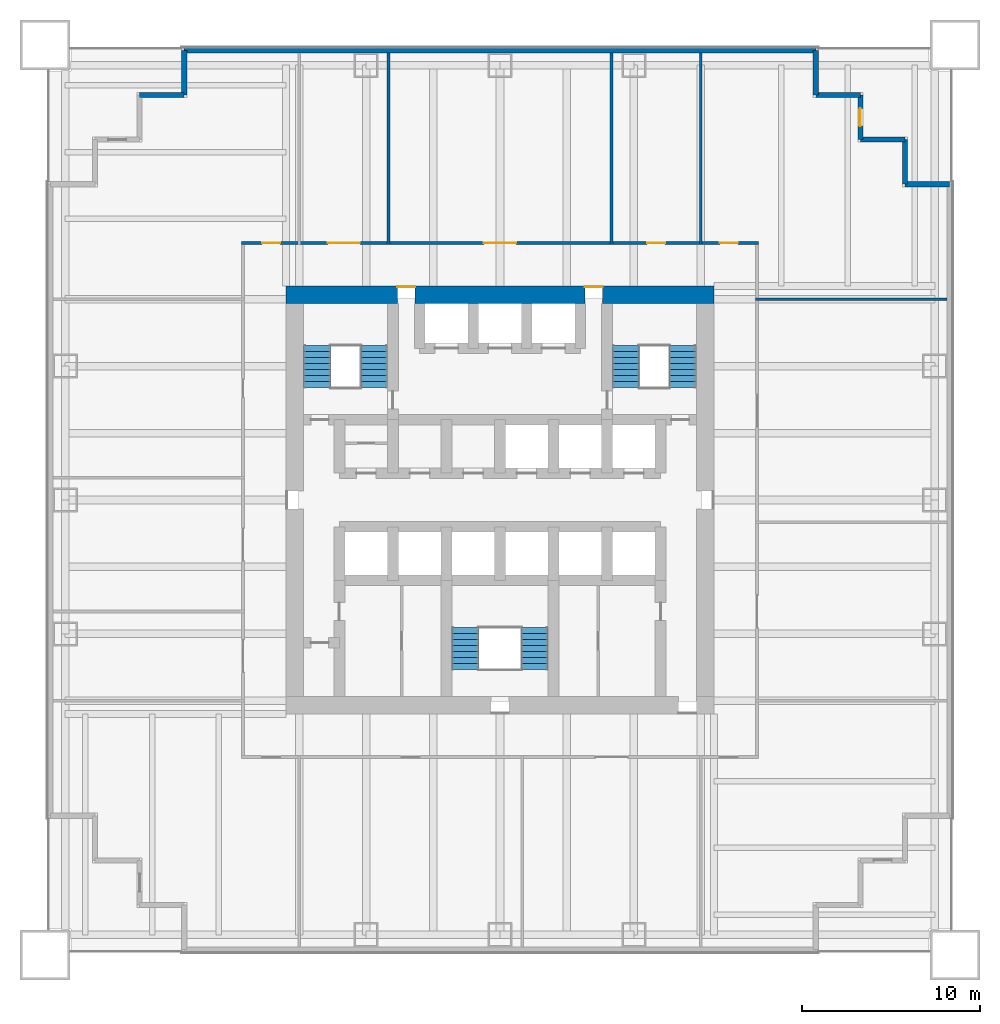
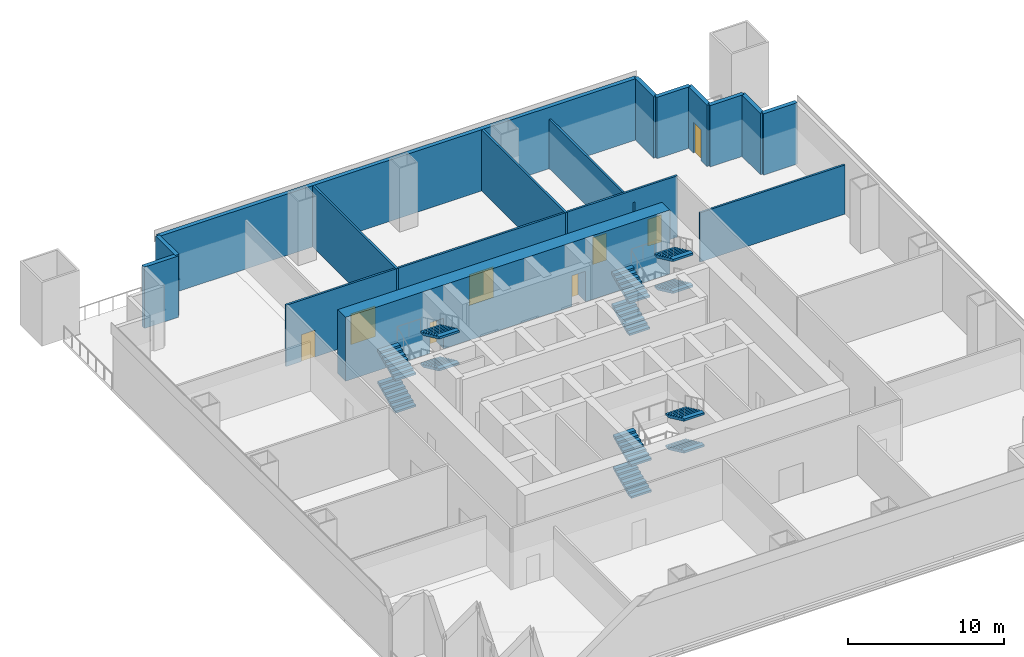
# One storey, part 4 of 6: 15 walls, 12 stair flights, 8 doors, 8 openings, 3 elements without a shape of their own.
"""IFC4 building model written with IfcOpenShell, lengths in metres."""

import ifcopenshell
import ifcopenshell.guid

model = None  # the IFC model being written
_history = None  # IfcOwnerHistory: only IFC2X3 demands one
_inside = {}  # id of a spatial element -> (the spatial element, [elements in it])
_under = {}  # id of a project, library or spatial element -> (it, [spatial elements below it])
_declared = {}  # id of a project -> (the project, [libraries it declares])
_typed = {}  # id of a type object -> (the type object, [elements of that type])
_made_of = {}  # id of a material, layer set ... -> (it, [elements and type objects made of it])


def new_model(schema):
    """Start an empty IFC model of exactly this schema.

    Asked for "IFC4X3", IfcOpenShell would pick the latest addendum, in which some entities
    have other attributes; the version numbers below select the first issue.
    IFC2X3 requires an IfcOwnerHistory on every rooted entity: one is made here for all.
    """
    global model, _history
    if schema == "IFC4X3":
        model = ifcopenshell.file(schema_version=(4, 3, 0, 0))
    else:
        model = ifcopenshell.file(schema=schema)
    _inside.clear()
    _under.clear()
    _declared.clear()
    _typed.clear()
    _made_of.clear()
    _history = None
    if model.schema == "IFC2X3":
        org = make("IfcOrganization", Name="unknown")
        user = make(
            "IfcPersonAndOrganization",
            ThePerson=make("IfcPerson", FamilyName="unknown"),
            TheOrganization=org,
        )
        app = make(
            "IfcApplication",
            ApplicationDeveloper=org,
            Version="unknown",
            ApplicationFullName="unknown",
            ApplicationIdentifier="unknown",
        )
        _history = make(
            "IfcOwnerHistory",
            OwningUser=user,
            OwningApplication=app,
            ChangeAction="ADDED",
            CreationDate=0,
        )
    return model


def make(cls, **values):
    """One entity of the class cls with the attributes given. An attribute that is None is left unset."""
    return model.create_entity(
        cls, **{name: value for name, value in values.items() if value is not None}
    )


def rooted(cls, **values):
    """An entity with a GlobalId (a new one), such as an element, a storey or a relation."""
    return make(cls, GlobalId=ifcopenshell.guid.new(), OwnerHistory=_history, **values)


def si_unit(unit_type, name, prefix=None):
    """IfcSIUnit, for example si_unit("LENGTHUNIT", "METRE", prefix="MILLI")."""
    return make("IfcSIUnit", UnitType=unit_type, Prefix=prefix, Name=name)


def assignment(units):
    """IfcUnitAssignment: the units of a project."""
    return None if units is None else make("IfcUnitAssignment", Units=units)


def point(xyz):
    """IfcCartesianPoint."""
    return None if xyz is None else make("IfcCartesianPoint", Coordinates=xyz)


def direction(xyz):
    """IfcDirection."""
    return None if xyz is None else make("IfcDirection", DirectionRatios=xyz)


def frame(location, z_axis=None, x_axis=None):
    """IfcAxis2Placement3D, a coordinate frame: its origin and axes. An axis left out is left unset."""
    return make(
        "IfcAxis2Placement3D",
        Location=point(location),
        Axis=direction(z_axis),
        RefDirection=direction(x_axis),
    )


def frame_2d(location, x_axis=None):
    """IfcAxis2Placement2D, a coordinate frame in the plane: its origin and x axis."""
    return make(
        "IfcAxis2Placement2D", Location=point(location), RefDirection=direction(x_axis)
    )


def origin():
    """The frame at (0, 0, 0) with its axes left unset."""
    return frame((0.0, 0.0, 0.0))


def place(relative_to, where):
    """IfcLocalPlacement: puts the frame where relative to a parent placement (None: the world)."""
    return make(
        "IfcLocalPlacement", PlacementRelTo=relative_to, RelativePlacement=where
    )


def context(
    kind, dimensions, precision=None, world=None, true_north=None, identifier=None
):
    """IfcGeometricRepresentationContext, for example the 3D "Model" context."""
    return make(
        "IfcGeometricRepresentationContext",
        ContextIdentifier=identifier,
        ContextType=kind,
        CoordinateSpaceDimension=dimensions,
        Precision=precision,
        WorldCoordinateSystem=world,
        TrueNorth=true_north,
    )


def subcontext(parent, identifier, kind, view, scale=None):
    """IfcGeometricRepresentationSubContext, for example "Body" below "Model"."""
    return make(
        "IfcGeometricRepresentationSubContext",
        ContextIdentifier=identifier,
        ContextType=kind,
        ParentContext=parent,
        TargetScale=scale,
        TargetView=view,
    )


def project(units=None, contexts=None):
    """IfcProject with its units and contexts."""
    return rooted(
        "IfcProject",
        Name="project",
        RepresentationContexts=contexts,
        UnitsInContext=assignment(units),
    )


def spatial(cls, under=None, at=None, **own):
    """A site, building, storey or space (cls), placed at a placement, below another one or the project."""
    s = rooted(cls, ObjectPlacement=at, **own)
    if under is not None:
        _under.setdefault(under.id(), (under, []))[1].append(s)
    return s


def polyline(points):
    """IfcPolyline through the points."""
    return make("IfcPolyline", Points=[point(p) for p in points])


def profile(cls, at=None, kind="AREA", **sizes):
    """A parametric profile (cls). Its sizes go by their IFC names, for example OverallWidth=200.0."""
    return make(cls, ProfileType=kind, Position=at, **sizes)


def rectangle(**sizes):
    """IfcRectangleProfileDef."""
    return profile("IfcRectangleProfileDef", **sizes)


def outline(outer, holes=None, kind="AREA"):
    """IfcArbitraryClosedProfileDef: a profile drawn as a closed curve; with holes, ...WithVoids."""
    if holes is None:
        return make("IfcArbitraryClosedProfileDef", ProfileType=kind, OuterCurve=outer)
    return make(
        "IfcArbitraryProfileDefWithVoids",
        ProfileType=kind,
        OuterCurve=outer,
        InnerCurves=holes,
    )


def extrude(swept, where, along, depth):
    """IfcExtrudedAreaSolid: the profile swept, set in the frame where, extruded along a direction by depth."""
    return make(
        "IfcExtrudedAreaSolid",
        SweptArea=swept,
        Position=where,
        ExtrudedDirection=direction(along),
        Depth=depth,
    )


def shape(context_of_items, identifier, shape_type, items):
    """IfcShapeRepresentation: the items that make up one representation, for example the "Body"."""
    return make(
        "IfcShapeRepresentation",
        ContextOfItems=context_of_items,
        RepresentationIdentifier=identifier,
        RepresentationType=shape_type,
        Items=items,
    )


def material(Name=None, Category=None):
    """IfcMaterial."""
    return make("IfcMaterial", Name=Name, Category=Category)


def layer(
    of_material, thickness, ventilated=None, Name=None, Category=None, Priority=None
):
    """IfcMaterialLayer: one layer of a wall or slab, of a material (None: an air gap)."""
    return make(
        "IfcMaterialLayer",
        Material=of_material,
        LayerThickness=thickness,
        IsVentilated=ventilated,
        Name=Name,
        Category=Category,
        Priority=Priority,
    )


def layer_set(layers, Name=None):
    """IfcMaterialLayerSet."""
    return make("IfcMaterialLayerSet", MaterialLayers=layers, LayerSetName=Name)


def made_of(thing, what):
    """Note that an element or type object is made of a material, layer set ...; save() writes the relation."""
    if what is not None:
        _made_of.setdefault(what.id(), (what, []))[1].append(thing)
    return thing


def type_object(cls, material=None, **own):
    """A type object (cls), such as IfcWallType, which elements share."""
    return made_of(rooted(cls, **own), material)


def element(
    cls,
    number,
    at=None,
    inside=None,
    cuts=None,
    type_object=None,
    material=None,
    context=None,
    identifier="Body",
    shape_type=None,
    held_by="IfcProductDefinitionShape",
    body=None,
    shapes=None,
    **own,
):
    """One element of the class cls, such as IfcWall. Its Tag is "e" and its number.

    at: its placement. inside: the storey or other place that contains it. cuts: it is an
    opening in that element (IfcRelVoidsElement). A single representation is given by context,
    identifier, shape_type and body (its items); several are given by shapes. held_by: the class
    of the entity that holds the representations. save() writes the other relations.
    """
    e = rooted(cls, Tag="e%d" % number, ObjectPlacement=at, **own)
    if body is not None:
        shapes = [shape(context, identifier, shape_type, body)]
    if shapes is not None:
        e.Representation = make(held_by, Representations=shapes)
    if inside is not None:
        _inside.setdefault(inside.id(), (inside, []))[1].append(e)
    if cuts is not None:
        rooted(
            "IfcRelVoidsElement", RelatingBuildingElement=cuts, RelatedOpeningElement=e
        )
    if type_object is not None:
        _typed.setdefault(type_object.id(), (type_object, []))[1].append(e)
    return made_of(e, material)


def fill(opening, filler):
    """IfcRelFillsElement: the door or window that sits in an opening."""
    return rooted(
        "IfcRelFillsElement",
        RelatingOpeningElement=opening,
        RelatedBuildingElement=filler,
    )


def aggregate(whole, parts):
    """IfcRelAggregates: a whole, such as a stair, and the parts it consists of."""
    return rooted("IfcRelAggregates", RelatingObject=whole, RelatedObjects=parts)


def save(model, path):
    """Write the relations noted so far, then the file.

    IfcRelAggregates (storeys below a building ...), IfcRelContainedInSpatialStructure (elements
    in a storey), IfcRelDefinesByType, IfcRelAssociatesMaterial and IfcRelDeclares: one each for
    every whole, place, type object, material and project.
    """
    for whole, parts in _under.values():
        aggregate(whole, parts)
    for where, things in _inside.values():
        rooted(
            "IfcRelContainedInSpatialStructure",
            RelatedElements=things,
            RelatingStructure=where,
        )
    for kind, things in _typed.values():
        rooted("IfcRelDefinesByType", RelatedObjects=things, RelatingType=kind)
    for what, things in _made_of.values():
        rooted("IfcRelAssociatesMaterial", RelatedObjects=things, RelatingMaterial=what)
    for by, libraries in _declared.values():
        rooted("IfcRelDeclares", RelatingContext=by, RelatedDefinitions=libraries)
    model.write(path)


model = new_model("IFC4")

# Units and contexts
model_context = context("Model", 3, precision=1e-05, world=origin(), true_north=direction((0.0, 1.0)))
body_context = subcontext(model_context, "Body", "Model", "MODEL_VIEW")
ifc_project = project(units=[si_unit("LENGTHUNIT", "METRE"), si_unit("AREAUNIT", "SQUARE_METRE"), si_unit("VOLUMEUNIT", "CUBIC_METRE"), si_unit("PLANEANGLEUNIT", "RADIAN"), si_unit("MASSUNIT", "GRAM", prefix="KILO")], contexts=[model_context])

# Site, building, storey
site_placement = place(None, origin())
site = spatial("IfcSite", under=ifc_project, at=site_placement, CompositionType="ELEMENT")
building_placement = place(site_placement, origin())
building = spatial("IfcBuilding", under=site, at=building_placement, Name="Tarangal Relay Tower", CompositionType="ELEMENT")
storey_placement = place(building_placement, frame((0.0, 0.0, 68.39990234375)))
storey = spatial("IfcBuildingStorey", under=building, at=storey_placement, Name="L13", CompositionType="ELEMENT", Elevation=68.39990234375)

# Wall, openings, doors
ifc_material_1 = material(Name="Concrete fc' 60 MPa", Category="concrete")
ifc_layer_1 = layer(ifc_material_1, 1.0)
ifc_layer_set_1 = layer_set([ifc_layer_1], Name="Core wall 1000")
wall_type_1 = type_object("IfcWallType", Name="Core wall 1000", PredefinedType="SHEAR", material=ifc_layer_set_1)
wall_1_placement = place(storey_placement, frame((-12.0, 11.5, 0.0), z_axis=(0.0, 0.0, 1.0), x_axis=(1.0, 0.0, 0.0)))
wall_1 = element("IfcWall", 1, at=wall_1_placement, inside=storey, type_object=wall_type_1, Name="Core wall N L13", PredefinedType="SHEAR", context=body_context, shape_type="SweptSolid", body=[
    extrude(rectangle(XDim=24.0, YDim=1.0, at=frame_2d((12.0, 0.0))), origin(), (0.0, 0.0, 1.0), 5.0),
])
opening_1_placement = place(wall_1_placement, frame((6.25, 0.0, 0.0)))
opening_1 = element("IfcOpeningElement", 2, at=opening_1_placement, cuts=wall_1, Name="Opening FD3", PredefinedType="OPENING", context=body_context, shape_type="SweptSolid", body=[
    extrude(rectangle(XDim=1.0, YDim=2.39990234375, at=frame_2d((0.5, 1.199951171875))), frame((0.0, 0.510009765625, 0.0), z_axis=(0.0, -1.0, 0.0), x_axis=(1.0, 0.0, 0.0)), (0.0, 0.0, 1.0), 1.02001953125),
])
opening_2_placement = place(wall_1_placement, frame((16.75, 0.0, 0.0)))
opening_2 = element("IfcOpeningElement", 3, at=opening_2_placement, cuts=wall_1, Name="Opening FD3", PredefinedType="OPENING", context=body_context, shape_type="SweptSolid", body=[
    extrude(rectangle(XDim=1.0, YDim=2.39990234375, at=frame_2d((0.5, 1.199951171875))), frame((0.0, 0.510009765625, 0.0), z_axis=(0.0, -1.0, 0.0), x_axis=(1.0, 0.0, 0.0)), (0.0, 0.0, 1.0), 1.02001953125),
])
ifc_material_2 = material(Name="Steel door with hardwood frame", Category="steel")
door_type_1 = type_object("IfcDoorType", Name="Fire door 1000 x 2400 core entry", OperationType="SINGLE_SWING_RIGHT", PredefinedType="DOOR", material=ifc_material_2)
door_1_placement = place(opening_1_placement, origin())
door_1 = element("IfcDoor", 4, at=door_1_placement, inside=storey, type_object=door_type_1, Name="Core entry door north west L13", OperationType="SINGLE_SWING_RIGHT", OverallHeight=2.39990234375, OverallWidth=1.0, PredefinedType="DOOR", context=body_context, shape_type="SweptSolid", body=[
    extrude(rectangle(XDim=1.0, YDim=2.39990234375, at=frame_2d((0.5, 1.199951171875))), frame((0.0, 0.48486328125, 0.0), z_axis=(0.0, -1.0, 0.0), x_axis=(1.0, 0.0, 0.0)), (0.0, 0.0, 1.0), 0.050048828125),
])
fill(opening_1, door_1)
door_2_placement = place(opening_2_placement, origin())
door_2 = element("IfcDoor", 5, at=door_2_placement, inside=storey, type_object=door_type_1, Name="Core entry door north east L13", OperationType="SINGLE_SWING_RIGHT", OverallHeight=2.39990234375, OverallWidth=1.0, PredefinedType="DOOR", context=body_context, shape_type="SweptSolid", body=[
    extrude(rectangle(XDim=1.0, YDim=2.39990234375, at=frame_2d((0.5, 1.199951171875))), frame((0.0, 0.48486328125, 0.0), z_axis=(0.0, -1.0, 0.0), x_axis=(1.0, 0.0, 0.0)), (0.0, 0.0, 1.0), 0.050048828125),
])
fill(opening_2, door_2)

# Walls
ifc_material_3 = material(Name="Insulated precast concrete fc' 40 MPa", Category="concrete")
ifc_layer_2 = layer(ifc_material_3, 0.300048828125)
ifc_layer_set_2 = layer_set([ifc_layer_2], Name="Insulated precast concrete fc' 40 MPa")
wall_type_2 = type_object("IfcWallType", Name="Facade wall precast 300", PredefinedType="SOLIDWALL", material=ifc_layer_set_2)
wall_2_placement = place(storey_placement, frame((-17.699951171875, 25.199951171875, 0.0), z_axis=(0.0, 0.0, 1.0), x_axis=(1.0, 0.0, 0.0)))
element("IfcWall", 6, at=wall_2_placement, inside=storey, type_object=wall_type_2, Name="Facade wall N facade L13", PredefinedType="SOLIDWALL", context=body_context, shape_type="SweptSolid", body=[
    extrude(rectangle(XDim=35.39990234375, YDim=0.300048828125, at=frame_2d((17.699951171875, 0.0))), origin(), (0.0, 0.0, 1.0), 4.800048828125),
])
for number, where, z_axis, x_axis, name in (
    (7, (17.699951171875, 25.199951171875, 0.0), (0.0, 0.0, 1.0), (0.0, -1.0, 0.0), "Facade wall N facade L13"),
    (8, (17.699951171875, 22.699951171875, 0.0), (0.0, 0.0, 1.0), (1.0, 0.0, 0.0), "Facade wall N facade L13"),
):
    element("IfcWall", number, at=place(storey_placement, frame(where, z_axis=z_axis, x_axis=x_axis)), inside=storey, type_object=wall_type_2, Name=name, PredefinedType="SOLIDWALL", context=body_context, shape_type="SweptSolid", body=[
        extrude(rectangle(XDim=2.5, YDim=0.300048828125, at=frame_2d((1.25, 0.0))), origin(), (0.0, 0.0, 1.0), 4.800048828125),
    ])

# Wall, opening, door
wall_3_placement = place(storey_placement, frame((20.199951171875, 22.699951171875, 0.0), z_axis=(0.0, 0.0, 1.0), x_axis=(0.0, -1.0, 0.0)))
wall_3 = element("IfcWall", 9, at=wall_3_placement, inside=storey, type_object=wall_type_2, Name="Facade wall N facade L13", PredefinedType="SOLIDWALL", context=body_context, shape_type="SweptSolid", body=[
    extrude(rectangle(XDim=2.5, YDim=0.300048828125, at=frame_2d((1.25, 0.0))), origin(), (0.0, 0.0, 1.0), 4.800048828125),
])
opening_3_placement = place(wall_3_placement, frame((0.75, 0.0, 0.0)))
opening_3 = element("IfcOpeningElement", 10, at=opening_3_placement, cuts=wall_3, Name="Opening TD1", PredefinedType="OPENING", context=body_context, shape_type="SweptSolid", body=[
    extrude(rectangle(XDim=1.0, YDim=2.39990234375, at=frame_2d((0.5, 1.199951171875))), frame((0.0, 0.159912109375, 0.0), z_axis=(0.0, -1.0, 0.0), x_axis=(1.0, 0.0, 0.0)), (0.0, 0.0, 1.0), 0.320068359375),
])
ifc_material_4 = material(Name="Aluminium glazed door", Category="aluminium")
door_type_2 = type_object("IfcDoorType", Name="Terrace door 1000 x 2400", OperationType="SINGLE_SWING_RIGHT", PredefinedType="DOOR", material=ifc_material_4)
door_3_placement = place(opening_3_placement, origin())
door_3 = element("IfcDoor", 11, at=door_3_placement, inside=storey, type_object=door_type_2, Name="Terrace door TD1 NE L13", OperationType="SINGLE_SWING_RIGHT", OverallHeight=2.39990234375, OverallWidth=1.0, PredefinedType="DOOR", context=body_context, shape_type="SweptSolid", body=[
    extrude(rectangle(XDim=1.0, YDim=2.39990234375, at=frame_2d((0.5, 1.199951171875))), frame((0.0, 0.02490234375, 0.0), z_axis=(0.0, -1.0, 0.0), x_axis=(1.0, 0.0, 0.0)), (0.0, 0.0, 1.0), 0.050048828125),
])
fill(opening_3, door_3)

# Walls
for number, where, z_axis, x_axis, name in (
    (12, (20.199951171875, 20.199951171875, 0.0), (0.0, 0.0, 1.0), (1.0, 0.0, 0.0), "Facade wall N facade L13"),
    (13, (22.699951171875, 20.199951171875, 0.0), (0.0, 0.0, 1.0), (0.0, -1.0, 0.0), "Facade wall N facade L13"),
    (14, (22.699951171875, 17.699951171875, 0.0), (0.0, 0.0, 1.0), (1.0, 0.0, 0.0), "Facade wall N facade L13"),
    (15, (-20.199951171875, 22.699951171875, 0.0), (0.0, 0.0, 1.0), (1.0, 0.0, 0.0), "Facade wall W facade L13"),
    (16, (-17.699951171875, 22.699951171875, 0.0), (0.0, 0.0, 1.0), (0.0, 1.0, 0.0), "Facade wall W facade L13"),
):
    element("IfcWall", number, at=place(storey_placement, frame(where, z_axis=z_axis, x_axis=x_axis)), inside=storey, type_object=wall_type_2, Name=name, PredefinedType="SOLIDWALL", context=body_context, shape_type="SweptSolid", body=[
        extrude(rectangle(XDim=2.5, YDim=0.300048828125, at=frame_2d((1.25, 0.0))), origin(), (0.0, 0.0, 1.0), 4.800048828125),
    ])
ifc_material_5 = material(Name="Gypsum board on steel studs", Category="steel")
ifc_layer_3 = layer(ifc_material_5, 0.14990234375)
ifc_layer_set_3 = layer_set([ifc_layer_3], Name="Partition 150")
wall_type_3 = type_object("IfcWallType", Name="Partition 150", PredefinedType="PARTITIONING", material=ifc_layer_set_3)
wall_4_placement = place(storey_placement, frame((14.324951171875, 11.25, 0.0), z_axis=(0.0, 0.0, 1.0), x_axis=(1.0, 0.0, 0.0)))
element("IfcWall", 17, at=wall_4_placement, inside=storey, type_object=wall_type_3, Name="Partition PT1 L13", PredefinedType="PARTITIONING", context=body_context, shape_type="SweptSolid", body=[
    extrude(rectangle(XDim=10.72509765625, YDim=0.14990234375, at=frame_2d((5.362548828125, 0.0))), origin(), (0.0, 0.0, 1.0), 3.852783203125),
])

# Wall, openings, doors
wall_5_placement = place(storey_placement, frame((-14.47509765625, 14.39990234375, 0.0), z_axis=(0.0, 0.0, 1.0), x_axis=(1.0, 0.0, 0.0)))
wall_5 = element("IfcWall", 18, at=wall_5_placement, inside=storey, type_object=wall_type_3, Name="Partition PT1 L13", PredefinedType="PARTITIONING", context=body_context, shape_type="SweptSolid", body=[
    extrude(rectangle(XDim=28.9501953125, YDim=0.14990234375, at=frame_2d((14.47509765625, 0.0))), origin(), (0.0, 0.0, 1.0), 4.800048828125),
])
opening_4_placement = place(wall_5_placement, frame((4.824951171875, 0.0, 0.0)))
opening_4 = element("IfcOpeningElement", 19, at=opening_4_placement, cuts=wall_5, Name="Opening DD1", PredefinedType="OPENING", context=body_context, shape_type="SweptSolid", body=[
    extrude(rectangle(XDim=1.800048828125, YDim=2.39990234375, at=frame_2d((0.89990234375, 1.199951171875))), frame((0.0, 0.0849609375, 0.0), z_axis=(0.0, -1.0, 0.0), x_axis=(1.0, 0.0, 0.0)), (0.0, 0.0, 1.0), 0.169921875),
])
opening_5_placement = place(wall_5_placement, frame((13.574951171875, 0.0, 0.0)))
opening_5 = element("IfcOpeningElement", 20, at=opening_5_placement, cuts=wall_5, Name="Opening DD1", PredefinedType="OPENING", context=body_context, shape_type="SweptSolid", body=[
    extrude(rectangle(XDim=1.800048828125, YDim=2.39990234375, at=frame_2d((0.89990234375, 1.199951171875))), frame((0.0, 0.0849609375, 0.0), z_axis=(0.0, -1.0, 0.0), x_axis=(1.0, 0.0, 0.0)), (0.0, 0.0, 1.0), 0.169921875),
])
opening_6_placement = place(wall_5_placement, frame((22.72509765625, 0.0, 0.0)))
opening_6 = element("IfcOpeningElement", 21, at=opening_6_placement, cuts=wall_5, Name="Opening D2", PredefinedType="OPENING", context=body_context, shape_type="SweptSolid", body=[
    extrude(rectangle(XDim=1.0, YDim=2.10009765625, at=frame_2d((0.5, 1.050048828125))), frame((0.0, 0.0849609375, 0.0), z_axis=(0.0, -1.0, 0.0), x_axis=(1.0, 0.0, 0.0)), (0.0, 0.0, 1.0), 0.169921875),
])
opening_7_placement = place(wall_5_placement, frame((26.800048828125, 0.0, 0.0)))
opening_7 = element("IfcOpeningElement", 22, at=opening_7_placement, cuts=wall_5, Name="Opening D2", PredefinedType="OPENING", context=body_context, shape_type="SweptSolid", body=[
    extrude(rectangle(XDim=1.0, YDim=2.10009765625, at=frame_2d((0.5, 1.050048828125))), frame((0.0, 0.0849609375, 0.0), z_axis=(0.0, -1.0, 0.0), x_axis=(1.0, 0.0, 0.0)), (0.0, 0.0, 1.0), 0.169921875),
])
opening_8_placement = place(wall_5_placement, frame((1.14990234375, 0.0, 0.0)))
opening_8 = element("IfcOpeningElement", 23, at=opening_8_placement, cuts=wall_5, Name="Opening D2", PredefinedType="OPENING", context=body_context, shape_type="SweptSolid", body=[
    extrude(rectangle(XDim=1.0, YDim=2.10009765625, at=frame_2d((0.5, 1.050048828125))), frame((0.0, 0.0849609375, 0.0), z_axis=(0.0, -1.0, 0.0), x_axis=(1.0, 0.0, 0.0)), (0.0, 0.0, 1.0), 0.169921875),
])
ifc_material_6 = material(Name="Hardwood door", Category="wood")
door_type_3 = type_object("IfcDoorType", Name="Door 1000 x 2100", OperationType="SINGLE_SWING_LEFT", PredefinedType="DOOR", material=ifc_material_6)
door_4_placement = place(opening_6_placement, origin())
door_4 = element("IfcDoor", 24, at=door_4_placement, inside=storey, type_object=door_type_3, Name="Door D2 to rack build and test room L13-04", OperationType="SINGLE_SWING_LEFT", OverallHeight=2.10009765625, OverallWidth=1.0, PredefinedType="DOOR", context=body_context, shape_type="SweptSolid", body=[
    extrude(rectangle(XDim=1.0, YDim=2.10009765625, at=frame_2d((0.5, 1.050048828125))), frame((0.0, 0.02490234375, 0.0), z_axis=(0.0, -1.0, 0.0), x_axis=(1.0, 0.0, 0.0)), (0.0, 0.0, 1.0), 0.050048828125),
])
fill(opening_6, door_4)
door_5_placement = place(opening_7_placement, origin())
door_5 = element("IfcDoor", 25, at=door_5_placement, inside=storey, type_object=door_type_3, Name="Door D2 to security office L13-12", OperationType="SINGLE_SWING_LEFT", OverallHeight=2.10009765625, OverallWidth=1.0, PredefinedType="DOOR", context=body_context, shape_type="SweptSolid", body=[
    extrude(rectangle(XDim=1.0, YDim=2.10009765625, at=frame_2d((0.5, 1.050048828125))), frame((0.0, 0.02490234375, 0.0), z_axis=(0.0, -1.0, 0.0), x_axis=(1.0, 0.0, 0.0)), (0.0, 0.0, 1.0), 0.050048828125),
])
fill(opening_7, door_5)
door_6_placement = place(opening_8_placement, origin())
door_6 = element("IfcDoor", 26, at=door_6_placement, inside=storey, type_object=door_type_3, Name="Door D2 to network operations room L13-15", OperationType="SINGLE_SWING_LEFT", OverallHeight=2.10009765625, OverallWidth=1.0, PredefinedType="DOOR", context=body_context, shape_type="SweptSolid", body=[
    extrude(rectangle(XDim=1.0, YDim=2.10009765625, at=frame_2d((0.5, 1.050048828125))), frame((0.0, 0.02490234375, 0.0), z_axis=(0.0, -1.0, 0.0), x_axis=(1.0, 0.0, 0.0)), (0.0, 0.0, 1.0), 0.050048828125),
])
fill(opening_8, door_6)
door_type_4 = type_object("IfcDoorType", Name="Equipment double door 1800 x 2400", OperationType="DOUBLE_DOOR_SINGLE_SWING", PredefinedType="DOOR", material=ifc_material_2)
door_7_placement = place(opening_4_placement, origin())
door_7 = element("IfcDoor", 27, at=door_7_placement, inside=storey, type_object=door_type_4, Name="Door DD1 to coolant distribution plant room L13-02", OperationType="DOUBLE_DOOR_SINGLE_SWING", OverallHeight=2.39990234375, OverallWidth=1.800048828125, PredefinedType="DOOR", context=body_context, shape_type="SweptSolid", body=[
    extrude(rectangle(XDim=1.800048828125, YDim=2.39990234375, at=frame_2d((0.89990234375, 1.199951171875))), frame((0.0, 0.02490234375, 0.0), z_axis=(0.0, -1.0, 0.0), x_axis=(1.0, 0.0, 0.0)), (0.0, 0.0, 1.0), 0.050048828125),
])
fill(opening_4, door_7)
door_8_placement = place(opening_5_placement, origin())
door_8 = element("IfcDoor", 28, at=door_8_placement, inside=storey, type_object=door_type_4, Name="Door DD1 to data hall L13-03", OperationType="DOUBLE_DOOR_SINGLE_SWING", OverallHeight=2.39990234375, OverallWidth=1.800048828125, PredefinedType="DOOR", context=body_context, shape_type="SweptSolid", body=[
    extrude(rectangle(XDim=1.800048828125, YDim=2.39990234375, at=frame_2d((0.89990234375, 1.199951171875))), frame((0.0, 0.02490234375, 0.0), z_axis=(0.0, -1.0, 0.0), x_axis=(1.0, 0.0, 0.0)), (0.0, 0.0, 1.0), 0.050048828125),
])
fill(opening_5, door_8)

# Walls
for number, where, z_axis, x_axis, name in (
    (29, (-6.25, 14.324951171875, 0.0), (0.0, 0.0, 1.0), (0.0, 1.0, 0.0), "Partition PT1 L13"),
    (30, (6.25, 14.324951171875, 0.0), (0.0, 0.0, 1.0), (0.0, 1.0, 0.0), "Partition PT1 L13"),
):
    element("IfcWall", number, at=place(storey_placement, frame(where, z_axis=z_axis, x_axis=x_axis)), inside=storey, type_object=wall_type_3, Name=name, PredefinedType="PARTITIONING", context=body_context, shape_type="SweptSolid", body=[
        extrude(rectangle(XDim=10.72509765625, YDim=0.14990234375, at=frame_2d((5.362548828125, 0.0))), origin(), (0.0, 0.0, 1.0), 4.800048828125),
    ])
wall_6_placement = place(storey_placement, frame((11.25, 14.324951171875, 0.0), z_axis=(0.0, 0.0, 1.0), x_axis=(0.0, 1.0, 0.0)))
element("IfcWall", 31, at=wall_6_placement, inside=storey, type_object=wall_type_3, Name="Partition PT1 L13", PredefinedType="PARTITIONING", context=body_context, shape_type="SweptSolid", body=[
    extrude(rectangle(XDim=10.72509765625, YDim=0.14990234375, at=frame_2d((5.362548828125, 0.0))), origin(), (0.0, 0.0, 1.0), 3.852783203125),
])

# Stair, stair flights
ifc_material_7 = material(Name="Steel ASTM A992 stair flight", Category="steel")
stair_type = type_object("IfcStairType", Name="Core stair 1500", PredefinedType="HALF_TURN_STAIR", material=ifc_material_7)
stair_1_placement = place(storey_placement, origin())
stair_1 = element("IfcStair", 32, at=stair_1_placement, inside=storey, type_object=stair_type, Name="Stair ST-A L13", PredefinedType="HALF_TURN_STAIR")
stair_flight_type = type_object("IfcStairFlightType", Name="Steel stair flight 1500, 8 risers 156 x 335", PredefinedType="STRAIGHT", material=ifc_material_7)
stair_flight_1_placement = place(storey_placement, frame((-10.25, 6.300048828125, 0.0), z_axis=(0.0, 0.0, 1.0), x_axis=(0.0, 1.0, 0.0)))
stair_flight_1 = element("IfcStairFlight", 33, at=stair_flight_1_placement, type_object=stair_flight_type, Name="ST-A flight 1", NumberOfRisers=8, NumberOfTreads=7, PredefinedType="STRAIGHT", RiserHeight=0.15625, TreadLength=0.335, context=body_context, shape_type="SweptSolid", body=[
    extrude(outline(polyline([(0.0, 0.0), (0.0, 0.15625), (0.3349609375, 0.15625), (0.3349609375, 0.3125), (0.669921875, 0.3125), (0.669921875, 0.46875), (1.0048828125, 0.46875), (1.0048828125, 0.625), (1.340087890625, 0.625), (1.340087890625, 0.78125), (1.675048828125, 0.78125), (1.675048828125, 0.9375), (2.010009765625, 0.9375), (2.010009765625, 1.09375), (2.344970703125, 1.09375), (2.344970703125, 1.25), (2.344970703125, 0.92822265625), (0.354736328125, 0.0), (0.0, 0.0)])), frame((0.0, 0.75, 0.0), z_axis=(0.0, -1.0, 0.0), x_axis=(1.0, 0.0, 0.0)), (0.0, 0.0, 1.0), 1.5),
])
stair_flight_2_placement = place(storey_placement, frame((-7.050048828125, 8.64501953125, 1.25), z_axis=(0.0, 0.0, 1.0), x_axis=(0.0, -1.0, 0.0)))
stair_flight_2 = element("IfcStairFlight", 34, at=stair_flight_2_placement, type_object=stair_flight_type, Name="ST-A flight 2", NumberOfRisers=8, NumberOfTreads=7, PredefinedType="STRAIGHT", RiserHeight=0.15625, TreadLength=0.335, context=body_context, shape_type="SweptSolid", body=[
    extrude(outline(polyline([(0.0, 0.0), (0.0, 0.15625), (0.3349609375, 0.15625), (0.3349609375, 0.3125), (0.669921875, 0.3125), (0.669921875, 0.46875), (1.0048828125, 0.46875), (1.0048828125, 0.625), (1.340087890625, 0.625), (1.340087890625, 0.78125), (1.675048828125, 0.78125), (1.675048828125, 0.9375), (2.010009765625, 0.9375), (2.010009765625, 1.09375), (2.344970703125, 1.09375), (2.344970703125, 1.25), (2.344970703125, 0.92822265625), (0.354736328125, 0.0), (0.0, 0.0)])), frame((0.0, 0.75, 0.0), z_axis=(0.0, -1.0, 0.0), x_axis=(1.0, 0.0, 0.0)), (0.0, 0.0, 1.0), 1.5),
])
stair_flight_3_placement = place(storey_placement, frame((-10.25, 6.300048828125, 2.5), z_axis=(0.0, 0.0, 1.0), x_axis=(0.0, 1.0, 0.0)))
stair_flight_3 = element("IfcStairFlight", 35, at=stair_flight_3_placement, type_object=stair_flight_type, Name="ST-A flight 3", NumberOfRisers=8, NumberOfTreads=7, PredefinedType="STRAIGHT", RiserHeight=0.15625, TreadLength=0.335, context=body_context, shape_type="SweptSolid", body=[
    extrude(outline(polyline([(0.0, 0.0), (0.0, 0.15625), (0.3349609375, 0.15625), (0.3349609375, 0.3125), (0.669921875, 0.3125), (0.669921875, 0.46875), (1.0048828125, 0.46875), (1.0048828125, 0.625), (1.340087890625, 0.625), (1.340087890625, 0.78125), (1.675048828125, 0.78125), (1.675048828125, 0.9375), (2.010009765625, 0.9375), (2.010009765625, 1.09375), (2.344970703125, 1.09375), (2.344970703125, 1.25), (2.344970703125, 0.92822265625), (0.354736328125, 0.0), (0.0, 0.0)])), frame((0.0, 0.75, 0.0), z_axis=(0.0, -1.0, 0.0), x_axis=(1.0, 0.0, 0.0)), (0.0, 0.0, 1.0), 1.5),
])
stair_flight_4_placement = place(storey_placement, frame((-7.050048828125, 8.64501953125, 3.75), z_axis=(0.0, 0.0, 1.0), x_axis=(0.0, -1.0, 0.0)))
stair_flight_4 = element("IfcStairFlight", 36, at=stair_flight_4_placement, type_object=stair_flight_type, Name="ST-A flight 4", NumberOfRisers=8, NumberOfTreads=7, PredefinedType="STRAIGHT", RiserHeight=0.15625, TreadLength=0.335, context=body_context, shape_type="SweptSolid", body=[
    extrude(outline(polyline([(0.0, 0.0), (0.0, 0.15625), (0.3349609375, 0.15625), (0.3349609375, 0.3125), (0.669921875, 0.3125), (0.669921875, 0.46875), (1.0048828125, 0.46875), (1.0048828125, 0.625), (1.340087890625, 0.625), (1.340087890625, 0.78125), (1.675048828125, 0.78125), (1.675048828125, 0.9375), (2.010009765625, 0.9375), (2.010009765625, 1.09375), (2.344970703125, 1.09375), (2.344970703125, 1.25), (2.344970703125, 0.92822265625), (0.354736328125, 0.0), (0.0, 0.0)])), frame((0.0, 0.75, 0.0), z_axis=(0.0, -1.0, 0.0), x_axis=(1.0, 0.0, 0.0)), (0.0, 0.0, 1.0), 1.5),
])
aggregate(stair_1, [stair_flight_1, stair_flight_2, stair_flight_3, stair_flight_4])

stair_2_placement = place(storey_placement, origin())
stair_2 = element("IfcStair", 37, at=stair_2_placement, inside=storey, type_object=stair_type, Name="Stair ST-B L13", PredefinedType="HALF_TURN_STAIR")
stair_flight_5_placement = place(storey_placement, frame((7.050048828125, 6.300048828125, 0.0), z_axis=(0.0, 0.0, 1.0), x_axis=(0.0, 1.0, 0.0)))
stair_flight_5 = element("IfcStairFlight", 38, at=stair_flight_5_placement, type_object=stair_flight_type, Name="ST-B flight 1", NumberOfRisers=8, NumberOfTreads=7, PredefinedType="STRAIGHT", RiserHeight=0.15625, TreadLength=0.335, context=body_context, shape_type="SweptSolid", body=[
    extrude(outline(polyline([(0.0, 0.0), (0.0, 0.15625), (0.3349609375, 0.15625), (0.3349609375, 0.3125), (0.669921875, 0.3125), (0.669921875, 0.46875), (1.0048828125, 0.46875), (1.0048828125, 0.625), (1.340087890625, 0.625), (1.340087890625, 0.78125), (1.675048828125, 0.78125), (1.675048828125, 0.9375), (2.010009765625, 0.9375), (2.010009765625, 1.09375), (2.344970703125, 1.09375), (2.344970703125, 1.25), (2.344970703125, 0.92822265625), (0.354736328125, 0.0), (0.0, 0.0)])), frame((0.0, 0.75, 0.0), z_axis=(0.0, -1.0, 0.0), x_axis=(1.0, 0.0, 0.0)), (0.0, 0.0, 1.0), 1.5),
])
stair_flight_6_placement = place(storey_placement, frame((10.25, 8.64501953125, 1.25), z_axis=(0.0, 0.0, 1.0), x_axis=(0.0, -1.0, 0.0)))
stair_flight_6 = element("IfcStairFlight", 39, at=stair_flight_6_placement, type_object=stair_flight_type, Name="ST-B flight 2", NumberOfRisers=8, NumberOfTreads=7, PredefinedType="STRAIGHT", RiserHeight=0.15625, TreadLength=0.335, context=body_context, shape_type="SweptSolid", body=[
    extrude(outline(polyline([(0.0, 0.0), (0.0, 0.15625), (0.3349609375, 0.15625), (0.3349609375, 0.3125), (0.669921875, 0.3125), (0.669921875, 0.46875), (1.0048828125, 0.46875), (1.0048828125, 0.625), (1.340087890625, 0.625), (1.340087890625, 0.78125), (1.675048828125, 0.78125), (1.675048828125, 0.9375), (2.010009765625, 0.9375), (2.010009765625, 1.09375), (2.344970703125, 1.09375), (2.344970703125, 1.25), (2.344970703125, 0.92822265625), (0.354736328125, 0.0), (0.0, 0.0)])), frame((0.0, 0.75, 0.0), z_axis=(0.0, -1.0, 0.0), x_axis=(1.0, 0.0, 0.0)), (0.0, 0.0, 1.0), 1.5),
])
stair_flight_7_placement = place(storey_placement, frame((7.050048828125, 6.300048828125, 2.5), z_axis=(0.0, 0.0, 1.0), x_axis=(0.0, 1.0, 0.0)))
stair_flight_7 = element("IfcStairFlight", 40, at=stair_flight_7_placement, type_object=stair_flight_type, Name="ST-B flight 3", NumberOfRisers=8, NumberOfTreads=7, PredefinedType="STRAIGHT", RiserHeight=0.15625, TreadLength=0.335, context=body_context, shape_type="SweptSolid", body=[
    extrude(outline(polyline([(0.0, 0.0), (0.0, 0.15625), (0.3349609375, 0.15625), (0.3349609375, 0.3125), (0.669921875, 0.3125), (0.669921875, 0.46875), (1.0048828125, 0.46875), (1.0048828125, 0.625), (1.340087890625, 0.625), (1.340087890625, 0.78125), (1.675048828125, 0.78125), (1.675048828125, 0.9375), (2.010009765625, 0.9375), (2.010009765625, 1.09375), (2.344970703125, 1.09375), (2.344970703125, 1.25), (2.344970703125, 0.92822265625), (0.354736328125, 0.0), (0.0, 0.0)])), frame((0.0, 0.75, 0.0), z_axis=(0.0, -1.0, 0.0), x_axis=(1.0, 0.0, 0.0)), (0.0, 0.0, 1.0), 1.5),
])
stair_flight_8_placement = place(storey_placement, frame((10.25, 8.64501953125, 3.75), z_axis=(0.0, 0.0, 1.0), x_axis=(0.0, -1.0, 0.0)))
stair_flight_8 = element("IfcStairFlight", 41, at=stair_flight_8_placement, type_object=stair_flight_type, Name="ST-B flight 4", NumberOfRisers=8, NumberOfTreads=7, PredefinedType="STRAIGHT", RiserHeight=0.15625, TreadLength=0.335, context=body_context, shape_type="SweptSolid", body=[
    extrude(outline(polyline([(0.0, 0.0), (0.0, 0.15625), (0.3349609375, 0.15625), (0.3349609375, 0.3125), (0.669921875, 0.3125), (0.669921875, 0.46875), (1.0048828125, 0.46875), (1.0048828125, 0.625), (1.340087890625, 0.625), (1.340087890625, 0.78125), (1.675048828125, 0.78125), (1.675048828125, 0.9375), (2.010009765625, 0.9375), (2.010009765625, 1.09375), (2.344970703125, 1.09375), (2.344970703125, 1.25), (2.344970703125, 0.92822265625), (0.354736328125, 0.0), (0.0, 0.0)])), frame((0.0, 0.75, 0.0), z_axis=(0.0, -1.0, 0.0), x_axis=(1.0, 0.0, 0.0)), (0.0, 0.0, 1.0), 1.5),
])
aggregate(stair_2, [stair_flight_5, stair_flight_6, stair_flight_7, stair_flight_8])

stair_3_placement = place(storey_placement, origin())
stair_3 = element("IfcStair", 42, at=stair_3_placement, inside=storey, type_object=stair_type, Name="Stair ST-C L13", PredefinedType="HALF_TURN_STAIR")
stair_flight_9_placement = place(storey_placement, frame((-1.949951171875, -9.5, 0.0), z_axis=(0.0, 0.0, 1.0), x_axis=(0.0, 1.0, 0.0)))
stair_flight_9 = element("IfcStairFlight", 43, at=stair_flight_9_placement, type_object=stair_flight_type, Name="ST-C flight 1", NumberOfRisers=8, NumberOfTreads=7, PredefinedType="STRAIGHT", RiserHeight=0.15625, TreadLength=0.335, context=body_context, shape_type="SweptSolid", body=[
    extrude(outline(polyline([(0.0, 0.0), (0.0, 0.15625), (0.3349609375, 0.15625), (0.3349609375, 0.3125), (0.669921875, 0.3125), (0.669921875, 0.46875), (1.0048828125, 0.46875), (1.0048828125, 0.625), (1.340087890625, 0.625), (1.340087890625, 0.78125), (1.675048828125, 0.78125), (1.675048828125, 0.9375), (2.010009765625, 0.9375), (2.010009765625, 1.09375), (2.344970703125, 1.09375), (2.344970703125, 1.25), (2.344970703125, 0.92822265625), (0.354736328125, 0.0), (0.0, 0.0)])), frame((0.0, 0.75, 0.0), z_axis=(0.0, -1.0, 0.0), x_axis=(1.0, 0.0, 0.0)), (0.0, 0.0, 1.0), 1.5),
])
stair_flight_10_placement = place(storey_placement, frame((1.949951171875, -7.155029296875, 1.25), z_axis=(0.0, 0.0, 1.0), x_axis=(0.0, -1.0, 0.0)))
stair_flight_10 = element("IfcStairFlight", 44, at=stair_flight_10_placement, type_object=stair_flight_type, Name="ST-C flight 2", NumberOfRisers=8, NumberOfTreads=7, PredefinedType="STRAIGHT", RiserHeight=0.15625, TreadLength=0.335, context=body_context, shape_type="SweptSolid", body=[
    extrude(outline(polyline([(0.0, 0.0), (0.0, 0.15625), (0.3349609375, 0.15625), (0.3349609375, 0.3125), (0.669921875, 0.3125), (0.669921875, 0.46875), (1.0048828125, 0.46875), (1.0048828125, 0.625), (1.340087890625, 0.625), (1.340087890625, 0.78125), (1.675048828125, 0.78125), (1.675048828125, 0.9375), (2.010009765625, 0.9375), (2.010009765625, 1.09375), (2.344970703125, 1.09375), (2.344970703125, 1.25), (2.344970703125, 0.92822265625), (0.354736328125, 0.0), (0.0, 0.0)])), frame((0.0, 0.75, 0.0), z_axis=(0.0, -1.0, 0.0), x_axis=(1.0, 0.0, 0.0)), (0.0, 0.0, 1.0), 1.5),
])
stair_flight_11_placement = place(storey_placement, frame((-1.949951171875, -9.5, 2.5), z_axis=(0.0, 0.0, 1.0), x_axis=(0.0, 1.0, 0.0)))
stair_flight_11 = element("IfcStairFlight", 45, at=stair_flight_11_placement, type_object=stair_flight_type, Name="ST-C flight 3", NumberOfRisers=8, NumberOfTreads=7, PredefinedType="STRAIGHT", RiserHeight=0.15625, TreadLength=0.335, context=body_context, shape_type="SweptSolid", body=[
    extrude(outline(polyline([(0.0, 0.0), (0.0, 0.15625), (0.3349609375, 0.15625), (0.3349609375, 0.3125), (0.669921875, 0.3125), (0.669921875, 0.46875), (1.0048828125, 0.46875), (1.0048828125, 0.625), (1.340087890625, 0.625), (1.340087890625, 0.78125), (1.675048828125, 0.78125), (1.675048828125, 0.9375), (2.010009765625, 0.9375), (2.010009765625, 1.09375), (2.344970703125, 1.09375), (2.344970703125, 1.25), (2.344970703125, 0.92822265625), (0.354736328125, 0.0), (0.0, 0.0)])), frame((0.0, 0.75, 0.0), z_axis=(0.0, -1.0, 0.0), x_axis=(1.0, 0.0, 0.0)), (0.0, 0.0, 1.0), 1.5),
])
stair_flight_12_placement = place(storey_placement, frame((1.949951171875, -7.155029296875, 3.75), z_axis=(0.0, 0.0, 1.0), x_axis=(0.0, -1.0, 0.0)))
stair_flight_12 = element("IfcStairFlight", 46, at=stair_flight_12_placement, type_object=stair_flight_type, Name="ST-C flight 4", NumberOfRisers=8, NumberOfTreads=7, PredefinedType="STRAIGHT", RiserHeight=0.15625, TreadLength=0.335, context=body_context, shape_type="SweptSolid", body=[
    extrude(outline(polyline([(0.0, 0.0), (0.0, 0.15625), (0.3349609375, 0.15625), (0.3349609375, 0.3125), (0.669921875, 0.3125), (0.669921875, 0.46875), (1.0048828125, 0.46875), (1.0048828125, 0.625), (1.340087890625, 0.625), (1.340087890625, 0.78125), (1.675048828125, 0.78125), (1.675048828125, 0.9375), (2.010009765625, 0.9375), (2.010009765625, 1.09375), (2.344970703125, 1.09375), (2.344970703125, 1.25), (2.344970703125, 0.92822265625), (0.354736328125, 0.0), (0.0, 0.0)])), frame((0.0, 0.75, 0.0), z_axis=(0.0, -1.0, 0.0), x_axis=(1.0, 0.0, 0.0)), (0.0, 0.0, 1.0), 1.5),
])
aggregate(stair_3, [stair_flight_9, stair_flight_10, stair_flight_11, stair_flight_12])

save(model, "model.ifc")
